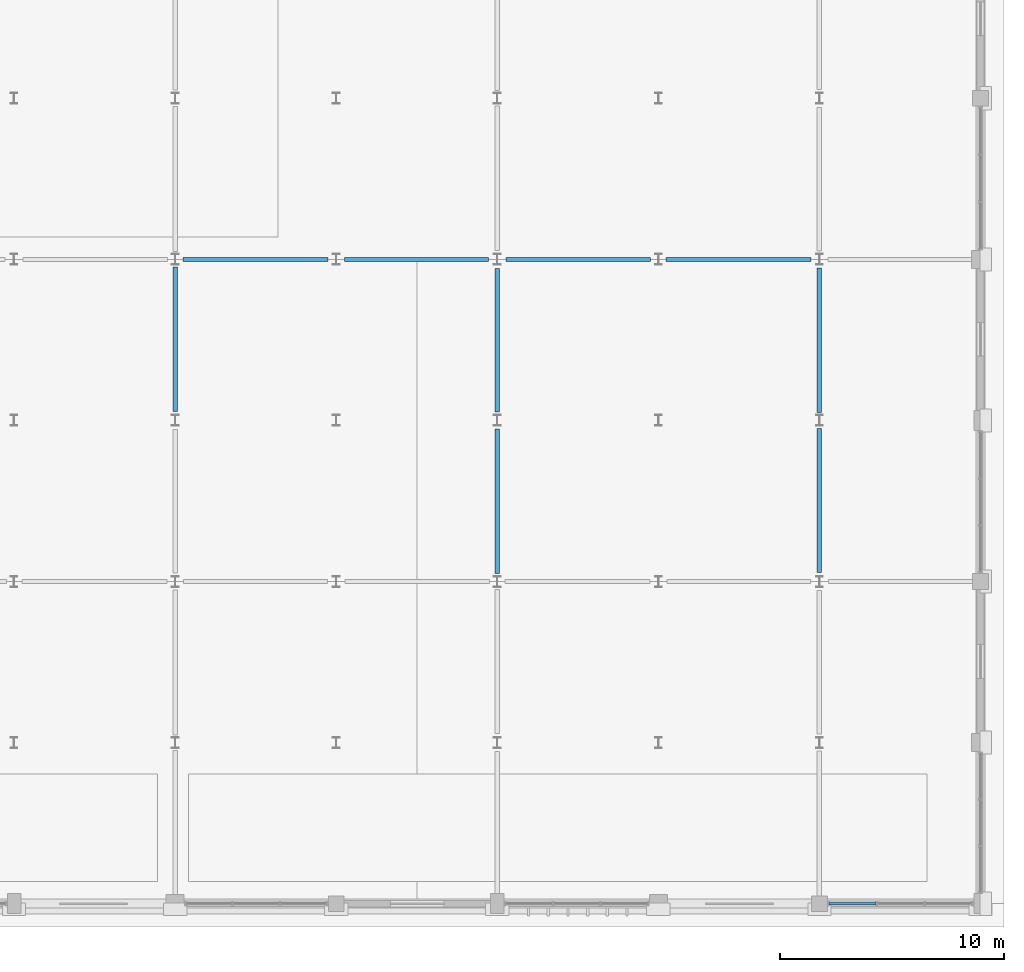
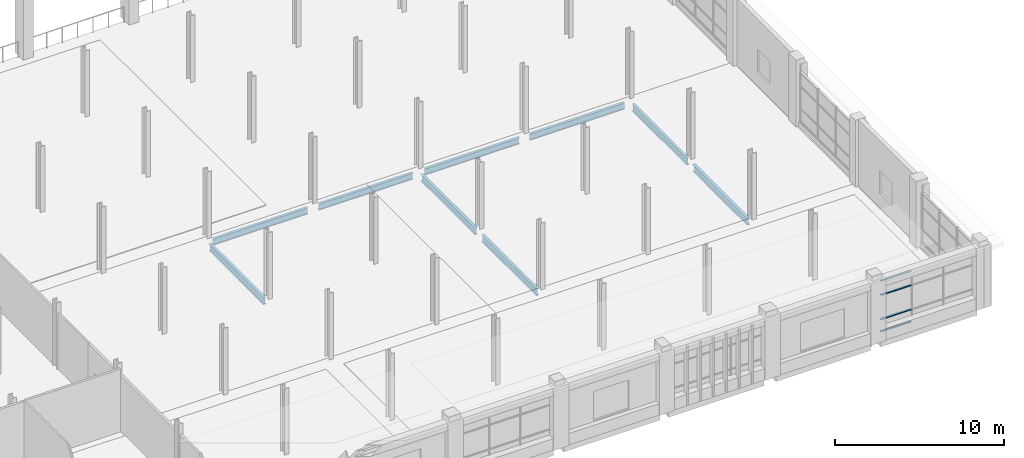
# One storey, part 40 of 82: 9 beams, 4 members, 1 element without a shape of its own.
"""IFC4 building model written with IfcOpenShell, lengths in metres."""

from ifc_helpers import new_model, si_unit, direction, frame, origin, origin_2d, place, context, subcontext, project, spatial, rectangle, i_section, extrude, material, material_profile, profile_set, type_object, element, aggregate, save


model = new_model("IFC4")

# Units and contexts
model_context = context("Model", 3, precision=1e-05, world=origin(), true_north=direction((0.0, 1.0)))
body_context = subcontext(model_context, "Body", "Model", "MODEL_VIEW")
ifc_project = project(units=[si_unit("LENGTHUNIT", "METRE"), si_unit("AREAUNIT", "SQUARE_METRE"), si_unit("VOLUMEUNIT", "CUBIC_METRE"), si_unit("PLANEANGLEUNIT", "RADIAN"), si_unit("MASSUNIT", "GRAM", prefix="KILO")], contexts=[model_context])

# Site, building, storey
site_placement = place(None, origin())
site = spatial("IfcSite", under=ifc_project, at=site_placement, CompositionType="ELEMENT")
building_placement = place(site_placement, origin())
building = spatial("IfcBuilding", under=site, at=building_placement, Name="Sardonyx Promenade Sports Hall", CompositionType="ELEMENT")
storey_placement = place(building_placement, frame((0.0, 0.0, 11.199951171875)))
storey = spatial("IfcBuildingStorey", under=building, at=storey_placement, Name="L02", CompositionType="ELEMENT", Elevation=11.199951171875)

# Beams
ifc_material_1 = material(Name="Steel S355JR", Category="steel")
ifc_material_profile_1 = material_profile(ifc_material_1, i_section(OverallWidth=0.18994140625, OverallDepth=0.453369140625, WebThickness=0.008544921875, FlangeThickness=0.0126953125, at=origin_2d()))
ifc_profile_set_1 = profile_set([ifc_material_profile_1], Name="Steel S355JR")
beam_type_1 = type_object("IfcBeamType", Name="Bm_Girder_UB457", PredefinedType="BEAM", material=ifc_profile_set_1)
beam_1_placement = place(storey_placement, frame((129.949951171875, 28.800048828125, -0.5166015625), z_axis=(1.0, 0.0, 0.0), x_axis=(0.0, 1.0, 0.0)))
element("IfcBeam", 1, at=beam_1_placement, inside=storey, type_object=beam_type_1, Name="Beam SB01 L02 #511", PredefinedType="BEAM", context=body_context, shape_type="SweptSolid", body=[
    extrude(i_section(OverallWidth=0.18994140625, OverallDepth=0.453369140625, WebThickness=0.008544921875, FlangeThickness=0.0126953125, at=origin_2d()), origin(), (0.0, 0.0, 1.0), 6.47509765625),
])
beam_2_placement = place(storey_placement, frame((137.175048828125, 28.800048828125, -0.5166015625), z_axis=(1.0, 0.0, 0.0), x_axis=(0.0, 1.0, 0.0)))
element("IfcBeam", 2, at=beam_2_placement, inside=storey, type_object=beam_type_1, Name="Beam SB01 L02 #512", PredefinedType="BEAM", context=body_context, shape_type="SweptSolid", body=[
    extrude(i_section(OverallWidth=0.18994140625, OverallDepth=0.453369140625, WebThickness=0.008544921875, FlangeThickness=0.0126953125, at=origin_2d()), origin(), (0.0, 0.0, 1.0), 6.425048828125),
])
beam_3_placement = place(storey_placement, frame((144.39990234375, 28.800048828125, -0.5166015625), z_axis=(1.0, 0.0, 0.0), x_axis=(0.0, 1.0, 0.0)))
element("IfcBeam", 3, at=beam_3_placement, inside=storey, type_object=beam_type_1, Name="Beam SB01 L02 #513", PredefinedType="BEAM", context=body_context, shape_type="SweptSolid", body=[
    extrude(i_section(OverallWidth=0.18994140625, OverallDepth=0.453369140625, WebThickness=0.008544921875, FlangeThickness=0.0126953125, at=origin_2d()), origin(), (0.0, 0.0, 1.0), 6.4501953125),
])
beam_4_placement = place(storey_placement, frame((151.550048828125, 28.800048828125, -0.5166015625), z_axis=(1.0, 0.0, 0.0), x_axis=(0.0, 1.0, 0.0)))
element("IfcBeam", 4, at=beam_4_placement, inside=storey, type_object=beam_type_1, Name="Beam SB01 L02 #514", PredefinedType="BEAM", context=body_context, shape_type="SweptSolid", body=[
    extrude(i_section(OverallWidth=0.18994140625, OverallDepth=0.453369140625, WebThickness=0.008544921875, FlangeThickness=0.0126953125, at=origin_2d()), origin(), (0.0, 0.0, 1.0), 6.474853515625),
])
ifc_material_2 = material(Name="Steel S355JR", Category="steel")
ifc_material_profile_2 = material_profile(ifc_material_2, i_section(OverallWidth=0.199951171875, OverallDepth=0.5, WebThickness=0.01025390625, FlangeThickness=0.01611328125, at=origin_2d()))
ifc_profile_set_2 = profile_set([ifc_material_profile_2], Name="Steel S355JR")
beam_type_2 = type_object("IfcBeamType", Name="Bm_Primary_IPE500", PredefinedType="BEAM", material=ifc_profile_set_2)
beam_5_placement = place(storey_placement, frame((129.60009765625, 22.0, -0.5400390625), z_axis=(0.0, 1.0, 0.0), x_axis=(-1.0, 0.0, 0.0)))
element("IfcBeam", 5, at=beam_5_placement, inside=storey, type_object=beam_type_2, Name="Beam SB06 L02 #670", PredefinedType="BEAM", context=body_context, shape_type="SweptSolid", body=[
    extrude(i_section(OverallWidth=0.199951171875, OverallDepth=0.5, WebThickness=0.01025390625, FlangeThickness=0.01611328125, at=origin_2d()), origin(), (0.0, 0.0, 1.0), 6.449951171875),
])
beam_6_placement = place(storey_placement, frame((144.0, 14.75, -0.5400390625), z_axis=(0.0, 1.0, 0.0), x_axis=(-1.0, 0.0, 0.0)))
element("IfcBeam", 6, at=beam_6_placement, inside=storey, type_object=beam_type_2, Name="Beam SB06 L02 #676", PredefinedType="BEAM", context=body_context, shape_type="SweptSolid", body=[
    extrude(i_section(OverallWidth=0.199951171875, OverallDepth=0.5, WebThickness=0.01025390625, FlangeThickness=0.01611328125, at=origin_2d()), origin(), (0.0, 0.0, 1.0), 6.47509765625),
])
beam_7_placement = place(storey_placement, frame((144.0, 21.97509765625, -0.5400390625), z_axis=(0.0, 1.0, 0.0), x_axis=(-1.0, 0.0, 0.0)))
element("IfcBeam", 7, at=beam_7_placement, inside=storey, type_object=beam_type_2, Name="Beam SB06 L02 #677", PredefinedType="BEAM", context=body_context, shape_type="SweptSolid", body=[
    extrude(i_section(OverallWidth=0.199951171875, OverallDepth=0.5, WebThickness=0.01025390625, FlangeThickness=0.01611328125, at=origin_2d()), origin(), (0.0, 0.0, 1.0), 6.4248046875),
])
beam_8_placement = place(storey_placement, frame((158.39990234375, 14.800048828125, -0.5400390625), z_axis=(0.0, 1.0, 0.0), x_axis=(-1.0, 0.0, 0.0)))
element("IfcBeam", 8, at=beam_8_placement, inside=storey, type_object=beam_type_2, Name="Beam SB06 L02 #684", PredefinedType="BEAM", context=body_context, shape_type="SweptSolid", body=[
    extrude(i_section(OverallWidth=0.199951171875, OverallDepth=0.5, WebThickness=0.01025390625, FlangeThickness=0.01611328125, at=origin_2d()), origin(), (0.0, 0.0, 1.0), 6.449951171875),
])
beam_9_placement = place(storey_placement, frame((158.39990234375, 21.949951171875, -0.5400390625), z_axis=(0.0, 1.0, 0.0), x_axis=(-1.0, 0.0, 0.0)))
element("IfcBeam", 9, at=beam_9_placement, inside=storey, type_object=beam_type_2, Name="Beam SB06 L02 #685", PredefinedType="BEAM", context=body_context, shape_type="SweptSolid", body=[
    extrude(i_section(OverallWidth=0.199951171875, OverallDepth=0.5, WebThickness=0.01025390625, FlangeThickness=0.01611328125, at=origin_2d()), origin(), (0.0, 0.0, 1.0), 6.47509765625),
])

# Curtain wall, members
ifc_material_3 = material(Name="Aluminium 6063-T6", Category="aluminium")
curtain_wall_type = type_object("IfcCurtainWallType", Name="CW_South_L02_640", PredefinedType="USERDEFINED", material=ifc_material_3)
curtain_wall_placement = place(storey_placement, origin())
curtain_wall = element("IfcCurtainWall", 10, at=curtain_wall_placement, inside=storey, type_object=curtain_wall_type, Name="Curtain wall CW01 cw:L02:029", ObjectType="CURTAIN WALL", PredefinedType="USERDEFINED")
ifc_material_4 = material(Name="Aluminium 6063-T6", Category="aluminium")
ifc_material_profile_3 = material_profile(ifc_material_4, rectangle(XDim=0.06494140625, YDim=0.139892578125, at=origin_2d()))
ifc_profile_set_3 = profile_set([ifc_material_profile_3], Name="Aluminium 6063-T6")
member_type = type_object("IfcMemberType", Name="CW_Tran_140", PredefinedType="USERDEFINED", material=ifc_profile_set_3)
member_1_placement = place(storey_placement, frame((160.918212890625, 0.0, 0.382568359375), z_axis=(-1.0, 0.0, 0.0), x_axis=(0.0, 0.0, 1.0)))
member_1 = element("IfcMember", 11, at=member_1_placement, type_object=member_type, Name="Transom CT02 cw:L02:029 #9", ObjectType="TRANSOM", PredefinedType="USERDEFINED", context=body_context, shape_type="SweptSolid", body=[
    extrude(rectangle(XDim=0.06494140625, YDim=0.139892578125, at=origin_2d()), origin(), (0.0, 0.0, 1.0), 2.083251953125),
])
member_2_placement = place(storey_placement, frame((160.918212890625, 0.0, 1.25), z_axis=(-1.0, 0.0, 0.0), x_axis=(0.0, 0.0, 1.0)))
member_2 = element("IfcMember", 12, at=member_2_placement, type_object=member_type, Name="Transom CT02 cw:L02:029 #10", ObjectType="TRANSOM", PredefinedType="USERDEFINED", context=body_context, shape_type="SweptSolid", body=[
    extrude(rectangle(XDim=0.06494140625, YDim=0.139892578125, at=origin_2d()), origin(), (0.0, 0.0, 1.0), 2.083251953125),
])
member_3_placement = place(storey_placement, frame((160.918212890625, 0.0, 3.0), z_axis=(-1.0, 0.0, 0.0), x_axis=(0.0, 0.0, 1.0)))
member_3 = element("IfcMember", 13, at=member_3_placement, type_object=member_type, Name="Transom CT02 cw:L02:029 #11", ObjectType="TRANSOM", PredefinedType="USERDEFINED", context=body_context, shape_type="SweptSolid", body=[
    extrude(rectangle(XDim=0.06494140625, YDim=0.139892578125, at=origin_2d()), origin(), (0.0, 0.0, 1.0), 2.083251953125),
])
member_4_placement = place(storey_placement, frame((160.918212890625, 0.0, 4.017578125), z_axis=(-1.0, 0.0, 0.0), x_axis=(0.0, 0.0, 1.0)))
member_4 = element("IfcMember", 14, at=member_4_placement, type_object=member_type, Name="Transom CT02 cw:L02:029 #12", ObjectType="TRANSOM", PredefinedType="USERDEFINED", context=body_context, shape_type="SweptSolid", body=[
    extrude(rectangle(XDim=0.06494140625, YDim=0.139892578125, at=origin_2d()), origin(), (0.0, 0.0, 1.0), 2.083251953125),
])
aggregate(curtain_wall, [member_1, member_2, member_3, member_4])

save(model, "model.ifc")
